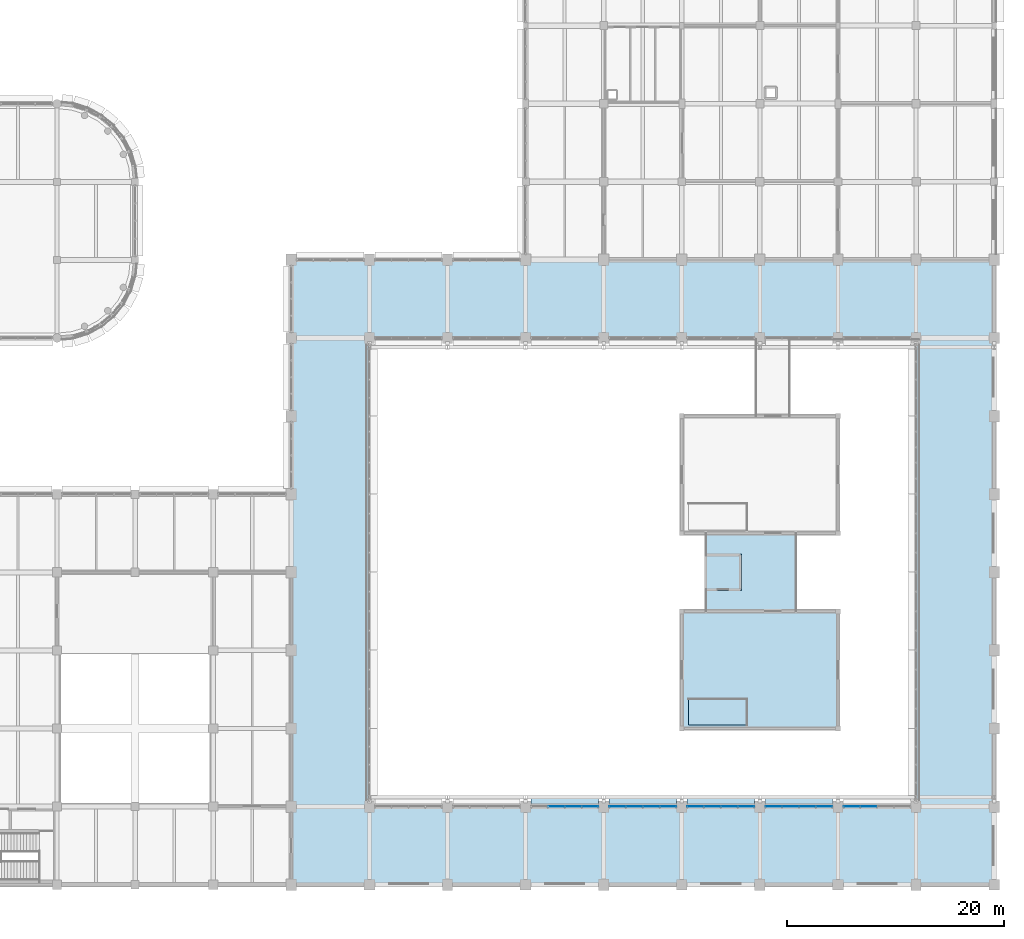
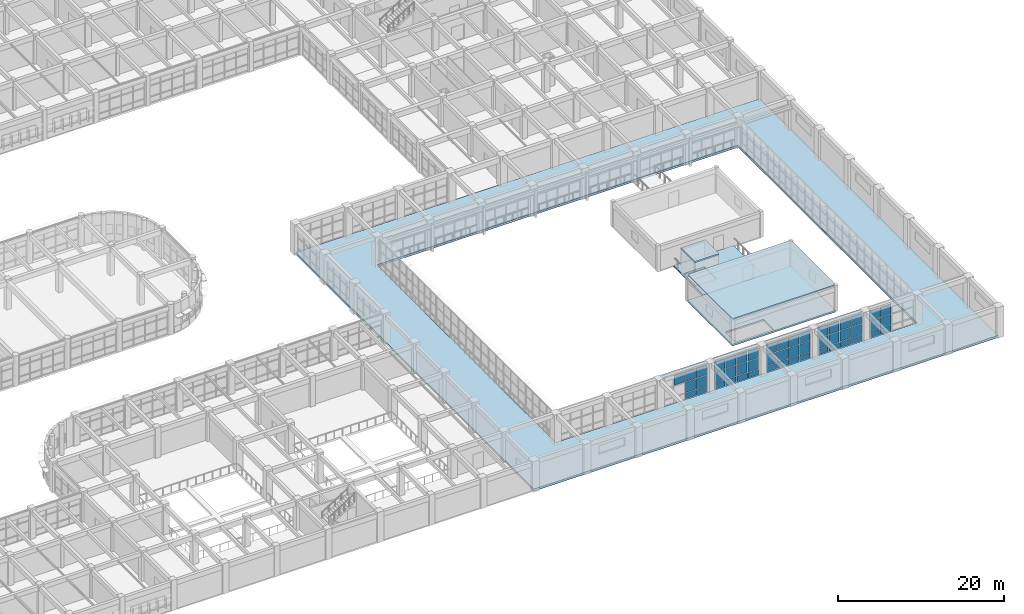
# One storey, part 140 of 171: 53 plates, 5 slabs, 5 elements without a shape of their own.
"""IFC4 building model written with IfcOpenShell, lengths in metres."""

from ifc_helpers import new_model, si_unit, direction, frame, origin, origin_2d, place, context, subcontext, project, spatial, polyline, rectangle, outline, extrude, material, layer, layer_set, type_object, element, aggregate, save


model = new_model("IFC4")

# Units and contexts
model_context = context("Model", 3, precision=1e-05, world=origin(), true_north=direction((0.0, 1.0)))
body_context = subcontext(model_context, "Body", "Model", "MODEL_VIEW")
ifc_project = project(units=[si_unit("LENGTHUNIT", "METRE"), si_unit("AREAUNIT", "SQUARE_METRE"), si_unit("VOLUMEUNIT", "CUBIC_METRE"), si_unit("PLANEANGLEUNIT", "RADIAN"), si_unit("MASSUNIT", "GRAM", prefix="KILO")], contexts=[model_context])

# Site, building, storey
site_placement = place(None, origin())
site = spatial("IfcSite", under=ifc_project, at=site_placement, CompositionType="ELEMENT")
building_placement = place(site_placement, origin())
building = spatial("IfcBuilding", under=site, at=building_placement, Name="Thalmaran Polytechnic", CompositionType="ELEMENT")
storey_placement = place(building_placement, frame((0.0, 0.0, 5.39990234375)))
storey = spatial("IfcBuildingStorey", under=building, at=storey_placement, Name="L01", CompositionType="ELEMENT", Elevation=5.39990234375)

# Plates
ifc_material_1 = material(Name="Anodised aluminium sun-hood eyebrow", Category="aluminium")
ifc_layer_1 = layer(ifc_material_1, 0.0849609375, Name="Anodised aluminium sun-hood eyebrow")
ifc_layer_set_1 = layer_set([ifc_layer_1], Name="Anodised aluminium sun-hood eyebrow")
plate_type_1 = type_object("IfcPlateType", Name="PT-EB01", PredefinedType="SHEET", material=ifc_layer_set_1)
for number, where, z_axis, x_axis, name in (
    (1, (133.199951171875, 7.56005859375, 4.107666015625), (0.0, 0.0, 1.0), (1.0, 0.0, 0.0), "Streamline Sun-Hood Eyebrow L01-CW113"),
    (2, (140.39990234375, 7.56005859375, 4.107666015625), (0.0, 0.0, 1.0), (1.0, 0.0, 0.0), "Streamline Sun-Hood Eyebrow L01-CW114"),
    (3, (147.60009765625, 7.56005859375, 4.107666015625), (0.0, 0.0, 1.0), (1.0, 0.0, 0.0), "Streamline Sun-Hood Eyebrow L01-CW115"),
    (4, (154.800048828125, 7.56005859375, 4.107666015625), (0.0, 0.0, 1.0), (1.0, 0.0, 0.0), "Streamline Sun-Hood Eyebrow L01-CW116"),
):
    element("IfcPlate", number, at=place(storey_placement, frame(where, z_axis=z_axis, x_axis=x_axis)), inside=storey, type_object=plate_type_1, Name=name, PredefinedType="SHEET", context=body_context, shape_type="SweptSolid", body=[
        extrude(rectangle(XDim=6.2099609375, YDim=0.760009765625, at=origin_2d()), origin(), (0.0, 0.0, 1.0), 0.0849609375),
    ])

# Curtain wall, plates
ifc_material_2 = material(Name="Aluminium 6063-T6", Category="aluminium")
curtain_wall_type = type_object("IfcCurtainWallType", Name="CW-UC02", PredefinedType="USERDEFINED", material=ifc_material_2)
curtain_wall_1_placement = place(storey_placement, origin())
curtain_wall_1 = element("IfcCurtainWall", 5, at=curtain_wall_1_placement, inside=storey, type_object=curtain_wall_type, Name="Curtain Wall CW-L01-115", ObjectType="UNITISED CURTAIN WALL", PredefinedType="USERDEFINED")
ifc_material_3 = material(Name="Solar-control double low-E glass", Category="glass")
ifc_layer_2 = layer(ifc_material_3, 0.035888671875, Name="Solar-control double low-E glass")
ifc_layer_set_2 = layer_set([ifc_layer_2], Name="Solar-control double low-E glass")
plate_type_2 = type_object("IfcPlateType", Name="PT-GL01", PredefinedType="CURTAIN_PANEL", material=ifc_layer_set_2)
plate_1_placement = place(storey_placement, frame((145.25634765625, 7.199951171875, 1.000244140625), z_axis=(0.0, 0.0, 1.0), x_axis=(1.0, 0.0, 0.0)))
plate_1 = element("IfcPlate", 6, at=plate_1_placement, type_object=plate_type_2, Name="CW-L01-115 Vision Panel 1-2", PredefinedType="CURTAIN_PANEL", context=body_context, shape_type="SweptSolid", body=[
    extrude(rectangle(XDim=1.46240234375, YDim=0.035888671875, at=origin_2d()), origin(), (0.0, 0.0, 1.0), 1.544921875),
])
plate_2_placement = place(storey_placement, frame((145.25634765625, 7.199951171875, 2.625), z_axis=(0.0, 0.0, 1.0), x_axis=(1.0, 0.0, 0.0)))
plate_2 = element("IfcPlate", 7, at=plate_2_placement, type_object=plate_type_2, Name="CW-L01-115 Vision Panel 1-3", PredefinedType="CURTAIN_PANEL", context=body_context, shape_type="SweptSolid", body=[
    extrude(rectangle(XDim=1.46240234375, YDim=0.035888671875, at=origin_2d()), origin(), (0.0, 0.0, 1.0), 1.485107421875),
])
plate_3_placement = place(storey_placement, frame((146.81884765625, 7.199951171875, 1.000244140625), z_axis=(0.0, 0.0, 1.0), x_axis=(1.0, 0.0, 0.0)))
plate_3 = element("IfcPlate", 8, at=plate_3_placement, type_object=plate_type_2, Name="CW-L01-115 Vision Panel 2-2", PredefinedType="CURTAIN_PANEL", context=body_context, shape_type="SweptSolid", body=[
    extrude(rectangle(XDim=1.46240234375, YDim=0.035888671875, at=origin_2d()), origin(), (0.0, 0.0, 1.0), 1.544921875),
])
plate_4_placement = place(storey_placement, frame((146.81884765625, 7.199951171875, 2.625), z_axis=(0.0, 0.0, 1.0), x_axis=(1.0, 0.0, 0.0)))
plate_4 = element("IfcPlate", 9, at=plate_4_placement, type_object=plate_type_2, Name="CW-L01-115 Vision Panel 2-3", PredefinedType="CURTAIN_PANEL", context=body_context, shape_type="SweptSolid", body=[
    extrude(rectangle(XDim=1.46240234375, YDim=0.035888671875, at=origin_2d()), origin(), (0.0, 0.0, 1.0), 1.485107421875),
])
plate_5_placement = place(storey_placement, frame((148.38134765625, 7.199951171875, 1.000244140625), z_axis=(0.0, 0.0, 1.0), x_axis=(1.0, 0.0, 0.0)))
plate_5 = element("IfcPlate", 10, at=plate_5_placement, type_object=plate_type_2, Name="CW-L01-115 Vision Panel 3-2", PredefinedType="CURTAIN_PANEL", context=body_context, shape_type="SweptSolid", body=[
    extrude(rectangle(XDim=1.46240234375, YDim=0.035888671875, at=origin_2d()), origin(), (0.0, 0.0, 1.0), 1.544921875),
])
plate_6_placement = place(storey_placement, frame((148.38134765625, 7.199951171875, 2.625), z_axis=(0.0, 0.0, 1.0), x_axis=(1.0, 0.0, 0.0)))
plate_6 = element("IfcPlate", 11, at=plate_6_placement, type_object=plate_type_2, Name="CW-L01-115 Vision Panel 3-3", PredefinedType="CURTAIN_PANEL", context=body_context, shape_type="SweptSolid", body=[
    extrude(rectangle(XDim=1.46240234375, YDim=0.035888671875, at=origin_2d()), origin(), (0.0, 0.0, 1.0), 1.485107421875),
])
plate_7_placement = place(storey_placement, frame((149.94384765625, 7.199951171875, 1.000244140625), z_axis=(0.0, 0.0, 1.0), x_axis=(1.0, 0.0, 0.0)))
plate_7 = element("IfcPlate", 12, at=plate_7_placement, type_object=plate_type_2, Name="CW-L01-115 Vision Panel 4-2", PredefinedType="CURTAIN_PANEL", context=body_context, shape_type="SweptSolid", body=[
    extrude(rectangle(XDim=1.46240234375, YDim=0.035888671875, at=origin_2d()), origin(), (0.0, 0.0, 1.0), 1.544921875),
])
plate_8_placement = place(storey_placement, frame((149.94384765625, 7.199951171875, 2.625), z_axis=(0.0, 0.0, 1.0), x_axis=(1.0, 0.0, 0.0)))
plate_8 = element("IfcPlate", 13, at=plate_8_placement, type_object=plate_type_2, Name="CW-L01-115 Vision Panel 4-3", PredefinedType="CURTAIN_PANEL", context=body_context, shape_type="SweptSolid", body=[
    extrude(rectangle(XDim=1.46240234375, YDim=0.035888671875, at=origin_2d()), origin(), (0.0, 0.0, 1.0), 1.485107421875),
])

curtain_wall_2_placement = place(storey_placement, origin())
curtain_wall_2 = element("IfcCurtainWall", 14, at=curtain_wall_2_placement, inside=storey, type_object=curtain_wall_type, Name="Curtain Wall CW-L01-116", ObjectType="UNITISED CURTAIN WALL", PredefinedType="USERDEFINED")
ifc_layer_3 = layer(ifc_material_3, 0.035888671875, Name="Solar-control double low-E glass")
ifc_layer_set_3 = layer_set([ifc_layer_3], Name="Solar-control double low-E glass")
plate_type_3 = type_object("IfcPlateType", Name="PT-GL02", PredefinedType="CURTAIN_PANEL", material=ifc_layer_set_3)
plate_9_placement = place(storey_placement, frame((152.456298828125, 7.199951171875, 1.000244140625), z_axis=(0.0, 0.0, 1.0), x_axis=(1.0, 0.0, 0.0)))
plate_9 = element("IfcPlate", 15, at=plate_9_placement, type_object=plate_type_3, Name="CW-L01-116 Vision Panel 1-2", PredefinedType="CURTAIN_PANEL", context=body_context, shape_type="SweptSolid", body=[
    extrude(rectangle(XDim=1.46240234375, YDim=0.035888671875, at=origin_2d()), origin(), (0.0, 0.0, 1.0), 1.544921875),
])
plate_10_placement = place(storey_placement, frame((152.456298828125, 7.199951171875, 2.625), z_axis=(0.0, 0.0, 1.0), x_axis=(1.0, 0.0, 0.0)))
plate_10 = element("IfcPlate", 16, at=plate_10_placement, type_object=plate_type_3, Name="CW-L01-116 Vision Panel 1-3", PredefinedType="CURTAIN_PANEL", context=body_context, shape_type="SweptSolid", body=[
    extrude(rectangle(XDim=1.46240234375, YDim=0.035888671875, at=origin_2d()), origin(), (0.0, 0.0, 1.0), 1.485107421875),
])
plate_11_placement = place(storey_placement, frame((154.018798828125, 7.199951171875, 1.000244140625), z_axis=(0.0, 0.0, 1.0), x_axis=(1.0, 0.0, 0.0)))
plate_11 = element("IfcPlate", 17, at=plate_11_placement, type_object=plate_type_3, Name="CW-L01-116 Vision Panel 2-2", PredefinedType="CURTAIN_PANEL", context=body_context, shape_type="SweptSolid", body=[
    extrude(rectangle(XDim=1.46240234375, YDim=0.035888671875, at=origin_2d()), origin(), (0.0, 0.0, 1.0), 1.544921875),
])
plate_12_placement = place(storey_placement, frame((154.018798828125, 7.199951171875, 2.625), z_axis=(0.0, 0.0, 1.0), x_axis=(1.0, 0.0, 0.0)))
plate_12 = element("IfcPlate", 18, at=plate_12_placement, type_object=plate_type_3, Name="CW-L01-116 Vision Panel 2-3", PredefinedType="CURTAIN_PANEL", context=body_context, shape_type="SweptSolid", body=[
    extrude(rectangle(XDim=1.46240234375, YDim=0.035888671875, at=origin_2d()), origin(), (0.0, 0.0, 1.0), 1.485107421875),
])
plate_13_placement = place(storey_placement, frame((155.581298828125, 7.199951171875, 1.000244140625), z_axis=(0.0, 0.0, 1.0), x_axis=(1.0, 0.0, 0.0)))
plate_13 = element("IfcPlate", 19, at=plate_13_placement, type_object=plate_type_3, Name="CW-L01-116 Vision Panel 3-2", PredefinedType="CURTAIN_PANEL", context=body_context, shape_type="SweptSolid", body=[
    extrude(rectangle(XDim=1.46240234375, YDim=0.035888671875, at=origin_2d()), origin(), (0.0, 0.0, 1.0), 1.544921875),
])
plate_14_placement = place(storey_placement, frame((155.581298828125, 7.199951171875, 2.625), z_axis=(0.0, 0.0, 1.0), x_axis=(1.0, 0.0, 0.0)))
plate_14 = element("IfcPlate", 20, at=plate_14_placement, type_object=plate_type_3, Name="CW-L01-116 Vision Panel 3-3", PredefinedType="CURTAIN_PANEL", context=body_context, shape_type="SweptSolid", body=[
    extrude(rectangle(XDim=1.46240234375, YDim=0.035888671875, at=origin_2d()), origin(), (0.0, 0.0, 1.0), 1.485107421875),
])
plate_15_placement = place(storey_placement, frame((157.143798828125, 7.199951171875, 1.000244140625), z_axis=(0.0, 0.0, 1.0), x_axis=(1.0, 0.0, 0.0)))
plate_15 = element("IfcPlate", 21, at=plate_15_placement, type_object=plate_type_3, Name="CW-L01-116 Vision Panel 4-2", PredefinedType="CURTAIN_PANEL", context=body_context, shape_type="SweptSolid", body=[
    extrude(rectangle(XDim=1.46240234375, YDim=0.035888671875, at=origin_2d()), origin(), (0.0, 0.0, 1.0), 1.544921875),
])
plate_16_placement = place(storey_placement, frame((157.143798828125, 7.199951171875, 2.625), z_axis=(0.0, 0.0, 1.0), x_axis=(1.0, 0.0, 0.0)))
plate_16 = element("IfcPlate", 22, at=plate_16_placement, type_object=plate_type_3, Name="CW-L01-116 Vision Panel 4-3", PredefinedType="CURTAIN_PANEL", context=body_context, shape_type="SweptSolid", body=[
    extrude(rectangle(XDim=1.46240234375, YDim=0.035888671875, at=origin_2d()), origin(), (0.0, 0.0, 1.0), 1.485107421875),
])

curtain_wall_3_placement = place(storey_placement, origin())
curtain_wall_3 = element("IfcCurtainWall", 23, at=curtain_wall_3_placement, inside=storey, type_object=curtain_wall_type, Name="Curtain Wall CW-L01-117", ObjectType="UNITISED CURTAIN WALL", PredefinedType="USERDEFINED")
ifc_layer_4 = layer(ifc_material_3, 0.035888671875, Name="Solar-control double low-E glass")
ifc_layer_set_4 = layer_set([ifc_layer_4], Name="Solar-control double low-E glass")
plate_type_4 = type_object("IfcPlateType", Name="PT-GL03", PredefinedType="CURTAIN_PANEL", material=ifc_layer_set_4)
plate_17_placement = place(storey_placement, frame((159.65625, 7.199951171875, 1.000244140625), z_axis=(0.0, 0.0, 1.0), x_axis=(1.0, 0.0, 0.0)))
plate_17 = element("IfcPlate", 24, at=plate_17_placement, type_object=plate_type_4, Name="CW-L01-117 Vision Panel 1-2", PredefinedType="CURTAIN_PANEL", context=body_context, shape_type="SweptSolid", body=[
    extrude(rectangle(XDim=1.46240234375, YDim=0.035888671875, at=origin_2d()), origin(), (0.0, 0.0, 1.0), 1.544921875),
])
plate_18_placement = place(storey_placement, frame((159.65625, 7.199951171875, 2.625), z_axis=(0.0, 0.0, 1.0), x_axis=(1.0, 0.0, 0.0)))
plate_18 = element("IfcPlate", 25, at=plate_18_placement, type_object=plate_type_4, Name="CW-L01-117 Vision Panel 1-3", PredefinedType="CURTAIN_PANEL", context=body_context, shape_type="SweptSolid", body=[
    extrude(rectangle(XDim=1.46240234375, YDim=0.035888671875, at=origin_2d()), origin(), (0.0, 0.0, 1.0), 1.485107421875),
])
plate_19_placement = place(storey_placement, frame((161.21875, 7.199951171875, 1.000244140625), z_axis=(0.0, 0.0, 1.0), x_axis=(1.0, 0.0, 0.0)))
plate_19 = element("IfcPlate", 26, at=plate_19_placement, type_object=plate_type_4, Name="CW-L01-117 Vision Panel 2-2", PredefinedType="CURTAIN_PANEL", context=body_context, shape_type="SweptSolid", body=[
    extrude(rectangle(XDim=1.46240234375, YDim=0.035888671875, at=origin_2d()), origin(), (0.0, 0.0, 1.0), 1.544921875),
])
plate_20_placement = place(storey_placement, frame((161.21875, 7.199951171875, 2.625), z_axis=(0.0, 0.0, 1.0), x_axis=(1.0, 0.0, 0.0)))
plate_20 = element("IfcPlate", 27, at=plate_20_placement, type_object=plate_type_4, Name="CW-L01-117 Vision Panel 2-3", PredefinedType="CURTAIN_PANEL", context=body_context, shape_type="SweptSolid", body=[
    extrude(rectangle(XDim=1.46240234375, YDim=0.035888671875, at=origin_2d()), origin(), (0.0, 0.0, 1.0), 1.485107421875),
])

curtain_wall_4_placement = place(storey_placement, origin())
curtain_wall_4 = element("IfcCurtainWall", 28, at=curtain_wall_4_placement, inside=storey, type_object=curtain_wall_type, Name="Curtain Wall CW-L01-113", ObjectType="UNITISED CURTAIN WALL", PredefinedType="USERDEFINED")
ifc_layer_5 = layer(ifc_material_3, 0.035888671875, Name="Solar-control double low-E glass")
ifc_layer_set_5 = layer_set([ifc_layer_5], Name="Solar-control double low-E glass")
plate_type_5 = type_object("IfcPlateType", Name="PT-GL04", PredefinedType="CURTAIN_PANEL", material=ifc_layer_set_5)
plate_21_placement = place(storey_placement, frame((132.418701171875, 7.199951171875, 2.625), z_axis=(0.0, 0.0, 1.0), x_axis=(1.0, 0.0, 0.0)))
plate_21 = element("IfcPlate", 29, at=plate_21_placement, type_object=plate_type_5, Name="CW-L01-113 Vision Panel 2-3", PredefinedType="CURTAIN_PANEL", context=body_context, shape_type="SweptSolid", body=[
    extrude(rectangle(XDim=1.46240234375, YDim=0.035888671875, at=origin_2d()), origin(), (0.0, 0.0, 1.0), 1.485107421875),
])
plate_22_placement = place(storey_placement, frame((133.981201171875, 7.199951171875, 1.000244140625), z_axis=(0.0, 0.0, 1.0), x_axis=(1.0, 0.0, 0.0)))
plate_22 = element("IfcPlate", 30, at=plate_22_placement, type_object=plate_type_5, Name="CW-L01-113 Vision Panel 3-2", PredefinedType="CURTAIN_PANEL", context=body_context, shape_type="SweptSolid", body=[
    extrude(rectangle(XDim=1.46240234375, YDim=0.035888671875, at=origin_2d()), origin(), (0.0, 0.0, 1.0), 1.544921875),
])
plate_23_placement = place(storey_placement, frame((133.981201171875, 7.199951171875, 2.625), z_axis=(0.0, 0.0, 1.0), x_axis=(1.0, 0.0, 0.0)))
plate_23 = element("IfcPlate", 31, at=plate_23_placement, type_object=plate_type_5, Name="CW-L01-113 Vision Panel 3-3", PredefinedType="CURTAIN_PANEL", context=body_context, shape_type="SweptSolid", body=[
    extrude(rectangle(XDim=1.46240234375, YDim=0.035888671875, at=origin_2d()), origin(), (0.0, 0.0, 1.0), 1.485107421875),
])
plate_24_placement = place(storey_placement, frame((135.543701171875, 7.199951171875, 1.000244140625), z_axis=(0.0, 0.0, 1.0), x_axis=(1.0, 0.0, 0.0)))
plate_24 = element("IfcPlate", 32, at=plate_24_placement, type_object=plate_type_5, Name="CW-L01-113 Vision Panel 4-2", PredefinedType="CURTAIN_PANEL", context=body_context, shape_type="SweptSolid", body=[
    extrude(rectangle(XDim=1.46240234375, YDim=0.035888671875, at=origin_2d()), origin(), (0.0, 0.0, 1.0), 1.544921875),
])
plate_25_placement = place(storey_placement, frame((135.543701171875, 7.199951171875, 2.625), z_axis=(0.0, 0.0, 1.0), x_axis=(1.0, 0.0, 0.0)))
plate_25 = element("IfcPlate", 33, at=plate_25_placement, type_object=plate_type_5, Name="CW-L01-113 Vision Panel 4-3", PredefinedType="CURTAIN_PANEL", context=body_context, shape_type="SweptSolid", body=[
    extrude(rectangle(XDim=1.46240234375, YDim=0.035888671875, at=origin_2d()), origin(), (0.0, 0.0, 1.0), 1.485107421875),
])

curtain_wall_5_placement = place(storey_placement, origin())
curtain_wall_5 = element("IfcCurtainWall", 34, at=curtain_wall_5_placement, inside=storey, type_object=curtain_wall_type, Name="Curtain Wall CW-L01-114", ObjectType="UNITISED CURTAIN WALL", PredefinedType="USERDEFINED")
ifc_layer_6 = layer(ifc_material_3, 0.035888671875, Name="Solar-control double low-E glass")
ifc_layer_set_6 = layer_set([ifc_layer_6], Name="Solar-control double low-E glass")
plate_type_6 = type_object("IfcPlateType", Name="PT-GL05", PredefinedType="CURTAIN_PANEL", material=ifc_layer_set_6)
plate_26_placement = place(storey_placement, frame((138.05615234375, 7.199951171875, 1.000244140625), z_axis=(0.0, 0.0, 1.0), x_axis=(1.0, 0.0, 0.0)))
plate_26 = element("IfcPlate", 35, at=plate_26_placement, type_object=plate_type_6, Name="CW-L01-114 Vision Panel 1-2", PredefinedType="CURTAIN_PANEL", context=body_context, shape_type="SweptSolid", body=[
    extrude(rectangle(XDim=1.46240234375, YDim=0.035888671875, at=origin_2d()), origin(), (0.0, 0.0, 1.0), 1.544921875),
])
plate_27_placement = place(storey_placement, frame((138.05615234375, 7.199951171875, 2.625), z_axis=(0.0, 0.0, 1.0), x_axis=(1.0, 0.0, 0.0)))
plate_27 = element("IfcPlate", 36, at=plate_27_placement, type_object=plate_type_6, Name="CW-L01-114 Vision Panel 1-3", PredefinedType="CURTAIN_PANEL", context=body_context, shape_type="SweptSolid", body=[
    extrude(rectangle(XDim=1.46240234375, YDim=0.035888671875, at=origin_2d()), origin(), (0.0, 0.0, 1.0), 1.485107421875),
])
plate_28_placement = place(storey_placement, frame((139.61865234375, 7.199951171875, 1.000244140625), z_axis=(0.0, 0.0, 1.0), x_axis=(1.0, 0.0, 0.0)))
plate_28 = element("IfcPlate", 37, at=plate_28_placement, type_object=plate_type_6, Name="CW-L01-114 Vision Panel 2-2", PredefinedType="CURTAIN_PANEL", context=body_context, shape_type="SweptSolid", body=[
    extrude(rectangle(XDim=1.46240234375, YDim=0.035888671875, at=origin_2d()), origin(), (0.0, 0.0, 1.0), 1.544921875),
])
plate_29_placement = place(storey_placement, frame((139.61865234375, 7.199951171875, 2.625), z_axis=(0.0, 0.0, 1.0), x_axis=(1.0, 0.0, 0.0)))
plate_29 = element("IfcPlate", 38, at=plate_29_placement, type_object=plate_type_6, Name="CW-L01-114 Vision Panel 2-3", PredefinedType="CURTAIN_PANEL", context=body_context, shape_type="SweptSolid", body=[
    extrude(rectangle(XDim=1.46240234375, YDim=0.035888671875, at=origin_2d()), origin(), (0.0, 0.0, 1.0), 1.485107421875),
])
plate_30_placement = place(storey_placement, frame((141.18115234375, 7.199951171875, 1.000244140625), z_axis=(0.0, 0.0, 1.0), x_axis=(1.0, 0.0, 0.0)))
plate_30 = element("IfcPlate", 39, at=plate_30_placement, type_object=plate_type_6, Name="CW-L01-114 Vision Panel 3-2", PredefinedType="CURTAIN_PANEL", context=body_context, shape_type="SweptSolid", body=[
    extrude(rectangle(XDim=1.46240234375, YDim=0.035888671875, at=origin_2d()), origin(), (0.0, 0.0, 1.0), 1.544921875),
])
plate_31_placement = place(storey_placement, frame((141.18115234375, 7.199951171875, 2.625), z_axis=(0.0, 0.0, 1.0), x_axis=(1.0, 0.0, 0.0)))
plate_31 = element("IfcPlate", 40, at=plate_31_placement, type_object=plate_type_6, Name="CW-L01-114 Vision Panel 3-3", PredefinedType="CURTAIN_PANEL", context=body_context, shape_type="SweptSolid", body=[
    extrude(rectangle(XDim=1.46240234375, YDim=0.035888671875, at=origin_2d()), origin(), (0.0, 0.0, 1.0), 1.485107421875),
])
plate_32_placement = place(storey_placement, frame((142.74365234375, 7.199951171875, 1.000244140625), z_axis=(0.0, 0.0, 1.0), x_axis=(1.0, 0.0, 0.0)))
plate_32 = element("IfcPlate", 41, at=plate_32_placement, type_object=plate_type_6, Name="CW-L01-114 Vision Panel 4-2", PredefinedType="CURTAIN_PANEL", context=body_context, shape_type="SweptSolid", body=[
    extrude(rectangle(XDim=1.46240234375, YDim=0.035888671875, at=origin_2d()), origin(), (0.0, 0.0, 1.0), 1.544921875),
])
plate_33_placement = place(storey_placement, frame((142.74365234375, 7.199951171875, 2.625), z_axis=(0.0, 0.0, 1.0), x_axis=(1.0, 0.0, 0.0)))
plate_33 = element("IfcPlate", 42, at=plate_33_placement, type_object=plate_type_6, Name="CW-L01-114 Vision Panel 4-3", PredefinedType="CURTAIN_PANEL", context=body_context, shape_type="SweptSolid", body=[
    extrude(rectangle(XDim=1.46240234375, YDim=0.035888671875, at=origin_2d()), origin(), (0.0, 0.0, 1.0), 1.485107421875),
])
ifc_material_4 = material(Name="Insulated anodised aluminium spandrel", Category="aluminium")
ifc_layer_7 = layer(ifc_material_4, 0.06005859375, Name="Insulated anodised aluminium spandrel")
ifc_layer_set_7 = layer_set([ifc_layer_7], Name="Insulated anodised aluminium spandrel")
plate_type_7 = type_object("IfcPlateType", Name="PT-SP01", PredefinedType="CURTAIN_PANEL", material=ifc_layer_set_7)
plate_34_placement = place(storey_placement, frame((138.05615234375, 7.199951171875, 0.10009765625), z_axis=(0.0, 0.0, 1.0), x_axis=(1.0, 0.0, 0.0)))
plate_34 = element("IfcPlate", 43, at=plate_34_placement, type_object=plate_type_7, Name="CW-L01-114 Spandrel Panel 1-1", PredefinedType="CURTAIN_PANEL", context=body_context, shape_type="SweptSolid", body=[
    extrude(rectangle(XDim=1.46240234375, YDim=0.06005859375, at=origin_2d()), origin(), (0.0, 0.0, 1.0), 0.820068359375),
])
plate_35_placement = place(storey_placement, frame((139.61865234375, 7.199951171875, 0.10009765625), z_axis=(0.0, 0.0, 1.0), x_axis=(1.0, 0.0, 0.0)))
plate_35 = element("IfcPlate", 44, at=plate_35_placement, type_object=plate_type_7, Name="CW-L01-114 Spandrel Panel 2-1", PredefinedType="CURTAIN_PANEL", context=body_context, shape_type="SweptSolid", body=[
    extrude(rectangle(XDim=1.46240234375, YDim=0.06005859375, at=origin_2d()), origin(), (0.0, 0.0, 1.0), 0.820068359375),
])
plate_36_placement = place(storey_placement, frame((141.18115234375, 7.199951171875, 0.10009765625), z_axis=(0.0, 0.0, 1.0), x_axis=(1.0, 0.0, 0.0)))
plate_36 = element("IfcPlate", 45, at=plate_36_placement, type_object=plate_type_7, Name="CW-L01-114 Spandrel Panel 3-1", PredefinedType="CURTAIN_PANEL", context=body_context, shape_type="SweptSolid", body=[
    extrude(rectangle(XDim=1.46240234375, YDim=0.06005859375, at=origin_2d()), origin(), (0.0, 0.0, 1.0), 0.820068359375),
])
plate_37_placement = place(storey_placement, frame((142.74365234375, 7.199951171875, 0.10009765625), z_axis=(0.0, 0.0, 1.0), x_axis=(1.0, 0.0, 0.0)))
plate_37 = element("IfcPlate", 46, at=plate_37_placement, type_object=plate_type_7, Name="CW-L01-114 Spandrel Panel 4-1", PredefinedType="CURTAIN_PANEL", context=body_context, shape_type="SweptSolid", body=[
    extrude(rectangle(XDim=1.46240234375, YDim=0.06005859375, at=origin_2d()), origin(), (0.0, 0.0, 1.0), 0.820068359375),
])
aggregate(curtain_wall_5, [plate_34, plate_26, plate_27, plate_35, plate_28, plate_29, plate_36, plate_30, plate_31, plate_37, plate_32, plate_33])

# Plate
plate_38_placement = place(storey_placement, frame((159.65625, 7.199951171875, 0.10009765625), z_axis=(0.0, 0.0, 1.0), x_axis=(1.0, 0.0, 0.0)))
plate_38 = element("IfcPlate", 47, at=plate_38_placement, type_object=plate_type_7, Name="CW-L01-117 Spandrel Panel 1-1", PredefinedType="CURTAIN_PANEL", context=body_context, shape_type="SweptSolid", body=[
    extrude(rectangle(XDim=1.46240234375, YDim=0.06005859375, at=origin_2d()), origin(), (0.0, 0.0, 1.0), 0.820068359375),
])

plate_39_placement = place(storey_placement, frame((161.21875, 7.199951171875, 0.10009765625), z_axis=(0.0, 0.0, 1.0), x_axis=(1.0, 0.0, 0.0)))
plate_39 = element("IfcPlate", 48, at=plate_39_placement, type_object=plate_type_7, Name="CW-L01-117 Spandrel Panel 2-1", PredefinedType="CURTAIN_PANEL", context=body_context, shape_type="SweptSolid", body=[
    extrude(rectangle(XDim=1.46240234375, YDim=0.06005859375, at=origin_2d()), origin(), (0.0, 0.0, 1.0), 0.820068359375),
])

aggregate(curtain_wall_3, [plate_38, plate_17, plate_18, plate_39, plate_19, plate_20])

ifc_layer_8 = layer(ifc_material_4, 0.06005859375, Name="Insulated anodised aluminium spandrel")
ifc_layer_set_8 = layer_set([ifc_layer_8], Name="Insulated anodised aluminium spandrel")
plate_type_8 = type_object("IfcPlateType", Name="PT-SP02", PredefinedType="CURTAIN_PANEL", material=ifc_layer_set_8)
plate_40_placement = place(storey_placement, frame((145.25634765625, 7.199951171875, 0.10009765625), z_axis=(0.0, 0.0, 1.0), x_axis=(1.0, 0.0, 0.0)))
plate_40 = element("IfcPlate", 49, at=plate_40_placement, type_object=plate_type_8, Name="CW-L01-115 Spandrel Panel 1-1", PredefinedType="CURTAIN_PANEL", context=body_context, shape_type="SweptSolid", body=[
    extrude(rectangle(XDim=1.46240234375, YDim=0.06005859375, at=origin_2d()), origin(), (0.0, 0.0, 1.0), 0.820068359375),
])

plate_41_placement = place(storey_placement, frame((146.81884765625, 7.199951171875, 0.10009765625), z_axis=(0.0, 0.0, 1.0), x_axis=(1.0, 0.0, 0.0)))
plate_41 = element("IfcPlate", 50, at=plate_41_placement, type_object=plate_type_8, Name="CW-L01-115 Spandrel Panel 2-1", PredefinedType="CURTAIN_PANEL", context=body_context, shape_type="SweptSolid", body=[
    extrude(rectangle(XDim=1.46240234375, YDim=0.06005859375, at=origin_2d()), origin(), (0.0, 0.0, 1.0), 0.820068359375),
])

plate_42_placement = place(storey_placement, frame((148.38134765625, 7.199951171875, 0.10009765625), z_axis=(0.0, 0.0, 1.0), x_axis=(1.0, 0.0, 0.0)))
plate_42 = element("IfcPlate", 51, at=plate_42_placement, type_object=plate_type_8, Name="CW-L01-115 Spandrel Panel 3-1", PredefinedType="CURTAIN_PANEL", context=body_context, shape_type="SweptSolid", body=[
    extrude(rectangle(XDim=1.46240234375, YDim=0.06005859375, at=origin_2d()), origin(), (0.0, 0.0, 1.0), 0.820068359375),
])

plate_43_placement = place(storey_placement, frame((149.94384765625, 7.199951171875, 0.10009765625), z_axis=(0.0, 0.0, 1.0), x_axis=(1.0, 0.0, 0.0)))
plate_43 = element("IfcPlate", 52, at=plate_43_placement, type_object=plate_type_8, Name="CW-L01-115 Spandrel Panel 4-1", PredefinedType="CURTAIN_PANEL", context=body_context, shape_type="SweptSolid", body=[
    extrude(rectangle(XDim=1.46240234375, YDim=0.06005859375, at=origin_2d()), origin(), (0.0, 0.0, 1.0), 0.820068359375),
])

aggregate(curtain_wall_1, [plate_40, plate_1, plate_2, plate_41, plate_3, plate_4, plate_42, plate_5, plate_6, plate_43, plate_7, plate_8])

ifc_layer_9 = layer(ifc_material_4, 0.06005859375, Name="Insulated anodised aluminium spandrel")
ifc_layer_set_9 = layer_set([ifc_layer_9], Name="Insulated anodised aluminium spandrel")
plate_type_9 = type_object("IfcPlateType", Name="PT-SP03", PredefinedType="CURTAIN_PANEL", material=ifc_layer_set_9)
plate_44_placement = place(storey_placement, frame((133.981201171875, 7.199951171875, 0.10009765625), z_axis=(0.0, 0.0, 1.0), x_axis=(1.0, 0.0, 0.0)))
plate_44 = element("IfcPlate", 53, at=plate_44_placement, type_object=plate_type_9, Name="CW-L01-113 Spandrel Panel 3-1", PredefinedType="CURTAIN_PANEL", context=body_context, shape_type="SweptSolid", body=[
    extrude(rectangle(XDim=1.46240234375, YDim=0.06005859375, at=origin_2d()), origin(), (0.0, 0.0, 1.0), 0.820068359375),
])

plate_45_placement = place(storey_placement, frame((135.543701171875, 7.199951171875, 0.10009765625), z_axis=(0.0, 0.0, 1.0), x_axis=(1.0, 0.0, 0.0)))
plate_45 = element("IfcPlate", 54, at=plate_45_placement, type_object=plate_type_9, Name="CW-L01-113 Spandrel Panel 4-1", PredefinedType="CURTAIN_PANEL", context=body_context, shape_type="SweptSolid", body=[
    extrude(rectangle(XDim=1.46240234375, YDim=0.06005859375, at=origin_2d()), origin(), (0.0, 0.0, 1.0), 0.820068359375),
])

aggregate(curtain_wall_4, [plate_21, plate_44, plate_22, plate_23, plate_45, plate_24, plate_25])

plate_46_placement = place(storey_placement, frame((152.456298828125, 7.199951171875, 0.10009765625), z_axis=(0.0, 0.0, 1.0), x_axis=(1.0, 0.0, 0.0)))
plate_46 = element("IfcPlate", 55, at=plate_46_placement, type_object=plate_type_9, Name="CW-L01-116 Spandrel Panel 1-1", PredefinedType="CURTAIN_PANEL", context=body_context, shape_type="SweptSolid", body=[
    extrude(rectangle(XDim=1.46240234375, YDim=0.06005859375, at=origin_2d()), origin(), (0.0, 0.0, 1.0), 0.820068359375),
])

plate_47_placement = place(storey_placement, frame((154.018798828125, 7.199951171875, 0.10009765625), z_axis=(0.0, 0.0, 1.0), x_axis=(1.0, 0.0, 0.0)))
plate_47 = element("IfcPlate", 56, at=plate_47_placement, type_object=plate_type_9, Name="CW-L01-116 Spandrel Panel 2-1", PredefinedType="CURTAIN_PANEL", context=body_context, shape_type="SweptSolid", body=[
    extrude(rectangle(XDim=1.46240234375, YDim=0.06005859375, at=origin_2d()), origin(), (0.0, 0.0, 1.0), 0.820068359375),
])

plate_48_placement = place(storey_placement, frame((155.581298828125, 7.199951171875, 0.10009765625), z_axis=(0.0, 0.0, 1.0), x_axis=(1.0, 0.0, 0.0)))
plate_48 = element("IfcPlate", 57, at=plate_48_placement, type_object=plate_type_9, Name="CW-L01-116 Spandrel Panel 3-1", PredefinedType="CURTAIN_PANEL", context=body_context, shape_type="SweptSolid", body=[
    extrude(rectangle(XDim=1.46240234375, YDim=0.06005859375, at=origin_2d()), origin(), (0.0, 0.0, 1.0), 0.820068359375),
])

plate_49_placement = place(storey_placement, frame((157.143798828125, 7.199951171875, 0.10009765625), z_axis=(0.0, 0.0, 1.0), x_axis=(1.0, 0.0, 0.0)))
plate_49 = element("IfcPlate", 58, at=plate_49_placement, type_object=plate_type_9, Name="CW-L01-116 Spandrel Panel 4-1", PredefinedType="CURTAIN_PANEL", context=body_context, shape_type="SweptSolid", body=[
    extrude(rectangle(XDim=1.46240234375, YDim=0.06005859375, at=origin_2d()), origin(), (0.0, 0.0, 1.0), 0.820068359375),
])

aggregate(curtain_wall_2, [plate_46, plate_9, plate_10, plate_47, plate_11, plate_12, plate_48, plate_13, plate_14, plate_49, plate_15, plate_16])

# Slabs
ifc_material_5 = material(Name="Concrete C40/50", Category="concrete")
ifc_layer_10 = layer(ifc_material_5, 0.31005859375, Name="Concrete C40/50")
ifc_layer_set_10 = layer_set([ifc_layer_10], Name="Concrete C40/50")
slab_type_1 = type_object("IfcSlabType", Name="SL-FL03", PredefinedType="FLOOR", material=ifc_layer_set_10)
slab_1_placement = place(storey_placement, frame((0.0, 0.0, -0.309814453125)))
element("IfcSlab", 59, at=slab_1_placement, inside=storey, type_object=slab_type_1, Name="V4 L01 Structural Slab", PredefinedType="FLOOR", context=body_context, shape_type="SweptSolid", body=[
    extrude(outline(polyline([(108.0, 28.800048828125), (108.0, 36.0), (108.0, 43.199951171875), (108.0, 50.39990234375), (108.0, 57.60009765625), (115.199951171875, 57.60009765625), (122.39990234375, 57.60009765625), (129.60009765625, 57.60009765625), (136.800048828125, 57.60009765625), (144.0, 57.60009765625), (151.199951171875, 57.60009765625), (158.39990234375, 57.60009765625), (165.60009765625, 57.60009765625), (172.800048828125, 57.60009765625), (172.800048828125, 50.39990234375), (172.800048828125, 43.199951171875), (172.800048828125, 36.0), (172.800048828125, 28.800048828125), (172.800048828125, 21.60009765625), (172.800048828125, 14.39990234375), (172.800048828125, 7.199951171875), (172.800048828125, 0.0), (165.60009765625, 0.0), (158.39990234375, 0.0), (151.199951171875, 0.0), (144.0, 0.0), (136.800048828125, 0.0), (129.60009765625, 0.0), (122.39990234375, 0.0), (115.199951171875, 0.0), (108.0, 0.0), (108.0, 7.199951171875), (108.0, 14.39990234375), (108.0, 21.60009765625), (108.0, 28.800048828125)]), holes=[polyline([(129.60009765625, 50.39990234375), (122.39990234375, 50.39990234375), (115.199951171875, 50.39990234375), (115.199951171875, 43.199951171875), (115.199951171875, 36.0), (115.199951171875, 28.800048828125), (115.199951171875, 21.60009765625), (115.199951171875, 14.39990234375), (115.199951171875, 7.199951171875), (122.39990234375, 7.199951171875), (129.60009765625, 7.199951171875), (136.800048828125, 7.199951171875), (144.0, 7.199951171875), (151.199951171875, 7.199951171875), (158.39990234375, 7.199951171875), (165.60009765625, 7.199951171875), (165.60009765625, 14.39990234375), (165.60009765625, 21.60009765625), (165.60009765625, 28.800048828125), (165.60009765625, 36.0), (165.60009765625, 43.199951171875), (165.60009765625, 50.39990234375), (158.39990234375, 50.39990234375), (151.199951171875, 50.39990234375), (144.0, 50.39990234375), (136.800048828125, 50.39990234375), (129.60009765625, 50.39990234375)])]), origin(), (0.0, 0.0, 1.0), 0.309814453125),
])
ifc_layer_11 = layer(ifc_material_5, 0.2451171875, Name="Concrete C40/50")
ifc_layer_set_11 = layer_set([ifc_layer_11], Name="Concrete C40/50")
slab_type_2 = type_object("IfcSlabType", Name="SL-FL07", PredefinedType="FLOOR", material=ifc_layer_set_11)
slab_2_placement = place(storey_placement, frame((0.0, 0.0, -0.244873046875)))
element("IfcSlab", 60, at=slab_2_placement, inside=storey, type_object=slab_type_2, Name="POD2 Mezzanine Floor Slab", PredefinedType="FLOOR", context=body_context, shape_type="SweptSolid", body=[
    extrude(outline(polyline([(144.0, 14.39990234375), (158.39990234375, 14.39990234375), (158.39990234375, 25.199951171875), (144.0, 25.199951171875), (144.0, 14.39990234375)]), holes=[polyline([(144.60009765625, 14.699951171875), (149.909912109375, 14.699951171875), (149.909912109375, 17.10009765625), (144.60009765625, 17.10009765625), (144.60009765625, 14.699951171875)])]), origin(), (0.0, 0.0, 1.0), 0.244873046875),
])
slab_3_placement = place(storey_placement, frame((0.0, 0.0, -0.244873046875)))
element("IfcSlab", 61, at=slab_3_placement, inside=storey, type_object=slab_type_2, Name="Workshop Pod Mezzanine Bridge 1", PredefinedType="FLOOR", context=body_context, shape_type="SweptSolid", body=[
    extrude(outline(polyline([(146.199951171875, 25.199951171875), (154.60009765625, 25.199951171875), (154.60009765625, 32.39990234375), (146.199951171875, 32.39990234375), (146.199951171875, 25.199951171875)]), holes=[polyline([(146.324951171875, 27.324951171875), (149.27490234375, 27.324951171875), (149.27490234375, 30.27490234375), (146.324951171875, 30.27490234375), (146.324951171875, 27.324951171875)])]), origin(), (0.0, 0.0, 1.0), 0.244873046875),
])
ifc_layer_12 = layer(ifc_material_5, 0.18994140625, Name="Concrete C40/50")
ifc_layer_set_12 = layer_set([ifc_layer_12], Name="Concrete C40/50")
slab_type_3 = type_object("IfcSlabType", Name="SL-RF05", PredefinedType="ROOF", material=ifc_layer_set_12)
slab_4_placement = place(storey_placement, frame((0.0, 0.0, 3.610107421875)))
element("IfcSlab", 62, at=slab_4_placement, inside=storey, type_object=slab_type_3, Name="POD2 Upper Acoustic Roof Slab", PredefinedType="ROOF", context=body_context, shape_type="SweptSolid", body=[
    extrude(outline(polyline([(144.0, 14.39990234375), (158.39990234375, 14.39990234375), (158.39990234375, 25.199951171875), (144.0, 25.199951171875), (144.0, 14.39990234375)])), origin(), (0.0, 0.0, 1.0), 0.18994140625),
])
slab_5_placement = place(storey_placement, frame((0.0, 0.0, 3.60009765625)))
element("IfcSlab", 63, at=slab_5_placement, inside=storey, type_object=slab_type_3, Name="Pod Lift Shaft Cap Slab", PredefinedType="ROOF", context=body_context, shape_type="SweptSolid", body=[
    extrude(outline(polyline([(146.10009765625, 27.10009765625), (149.5, 27.10009765625), (149.5, 30.5), (146.10009765625, 30.5), (146.10009765625, 27.10009765625)])), origin(), (0.0, 0.0, 1.0), 0.18994140625),
])

save(model, "model.ifc")
